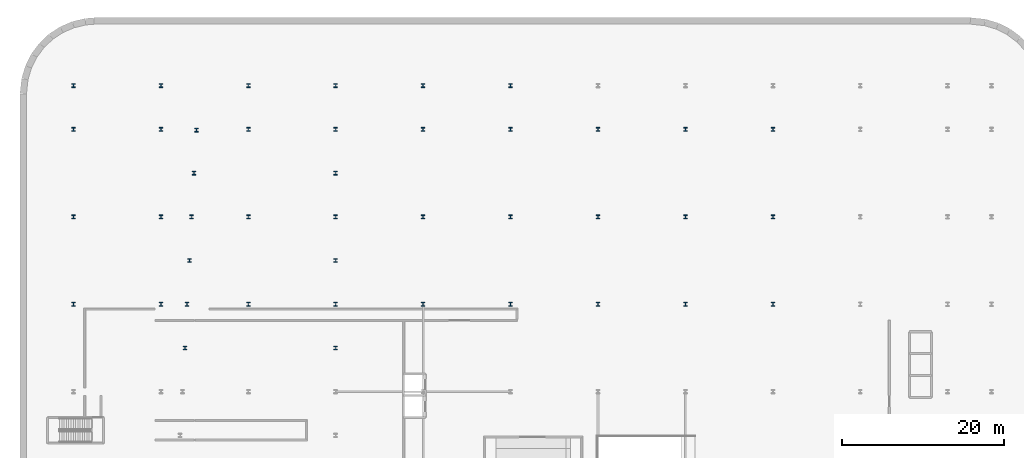
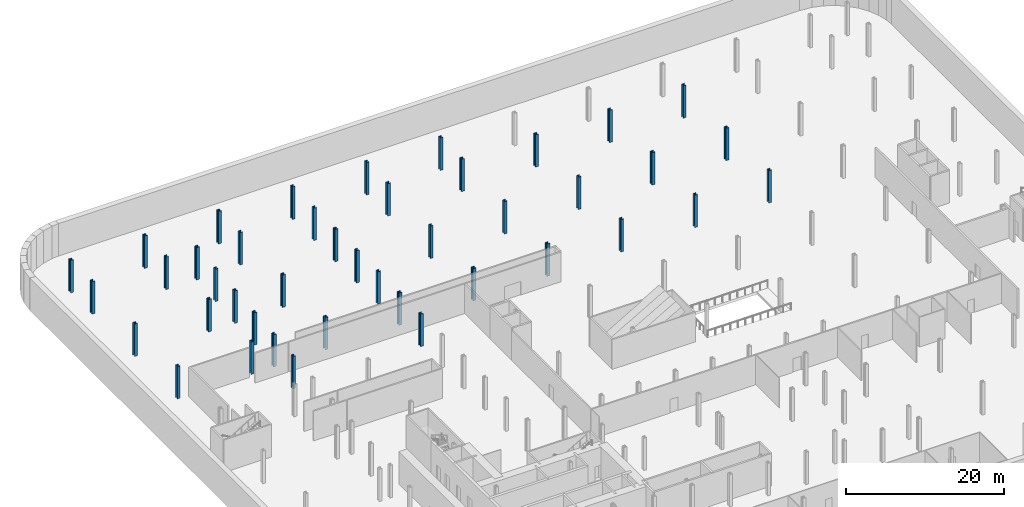
# One storey, part 3 of 19: 42 columns.
"""IFC4 building model written with IfcOpenShell, lengths in metres."""

from ifc_helpers import new_model, si_unit, direction, frame, origin, origin_2d, place, context, subcontext, project, spatial, i_section, extrude, material, material_profile, profile_set, type_object, element, save


model = new_model("IFC4")

# Units and contexts
model_context = context("Model", 3, precision=1e-05, world=origin(), true_north=direction((0.0, 1.0)))
body_context = subcontext(model_context, "Body", "Model", "MODEL_VIEW")
ifc_project = project(units=[si_unit("LENGTHUNIT", "METRE"), si_unit("AREAUNIT", "SQUARE_METRE"), si_unit("VOLUMEUNIT", "CUBIC_METRE"), si_unit("PLANEANGLEUNIT", "RADIAN"), si_unit("MASSUNIT", "GRAM", prefix="KILO")], contexts=[model_context])

# Site, building, storey
site_placement = place(None, origin())
site = spatial("IfcSite", under=ifc_project, at=site_placement, CompositionType="ELEMENT")
building_placement = place(site_placement, origin())
building = spatial("IfcBuilding", under=site, at=building_placement, Name="Kheshtan School and Residences Tower", CompositionType="ELEMENT")
storey_placement = place(building_placement, frame((0.0, 0.0, -5.0)))
storey = spatial("IfcBuildingStorey", under=building, at=storey_placement, Name="B1", CompositionType="ELEMENT", Elevation=-5.0)

# Columns
ifc_material = material(Name="Steel ASTM A992 Grade 50", Category="steel")
ifc_material_profile = material_profile(ifc_material, i_section(OverallWidth=0.424072265625, OverallDepth=0.47412109375, WebThickness=0.047607421875, FlangeThickness=0.0771484375, FilletRadius=0.01416015625, at=origin_2d()), Name="W360x634")
ifc_profile_set = profile_set([ifc_material_profile], Name="Steel ASTM A992 Grade 50")
column_type = type_object("IfcColumnType", Name="Column PC1 W360x634 ASTM A992 Grade 50", PredefinedType="COLUMN", material=ifc_profile_set)
for number, where, z_axis, x_axis, name in (
    (1, (15.199951171875, 78.0, 0.0), (0.0, 0.0, 1.0), (1.0, 0.0, 0.0), "Column P-073"),
    (2, (26.0, 78.0, 0.0), (0.0, 0.0, 1.0), (1.0, 0.0, 0.0), "Column P-074"),
    (3, (36.800048828125, 78.0, 0.0), (0.0, 0.0, 1.0), (1.0, 0.0, 0.0), "Column P-075"),
    (4, (47.60009765625, 78.0, 0.0), (0.0, 0.0, 1.0), (1.0, 0.0, 0.0), "Column P-076"),
    (5, (58.39990234375, 78.0, 0.0), (0.0, 0.0, 1.0), (1.0, 0.0, 0.0), "Column P-077"),
    (6, (69.199951171875, 78.0, 0.0), (0.0, 0.0, 1.0), (1.0, 0.0, 0.0), "Column P-078"),
    (7, (80.0, 78.0, 0.0), (0.0, 0.0, 1.0), (1.0, 0.0, 0.0), "Column P-079"),
    (8, (90.800048828125, 78.0, 0.0), (0.0, 0.0, 1.0), (1.0, 0.0, 0.0), "Column P-080"),
    (9, (101.60009765625, 78.0, 0.0), (0.0, 0.0, 1.0), (1.0, 0.0, 0.0), "Column P-081"),
    (10, (15.199951171875, 88.800048828125, 0.0), (0.0, 0.0, 1.0), (1.0, 0.0, 0.0), "Column P-085"),
    (11, (26.0, 88.800048828125, 0.0), (0.0, 0.0, 1.0), (1.0, 0.0, 0.0), "Column P-086"),
    (12, (36.800048828125, 88.800048828125, 0.0), (0.0, 0.0, 1.0), (1.0, 0.0, 0.0), "Column P-087"),
    (13, (47.60009765625, 88.800048828125, 0.0), (0.0, 0.0, 1.0), (1.0, 0.0, 0.0), "Column P-088"),
    (14, (58.39990234375, 88.800048828125, 0.0), (0.0, 0.0, 1.0), (1.0, 0.0, 0.0), "Column P-089"),
    (15, (69.199951171875, 88.800048828125, 0.0), (0.0, 0.0, 1.0), (1.0, 0.0, 0.0), "Column P-090"),
    (16, (80.0, 88.800048828125, 0.0), (0.0, 0.0, 1.0), (1.0, 0.0, 0.0), "Column P-091"),
    (17, (90.800048828125, 88.800048828125, 0.0), (0.0, 0.0, 1.0), (1.0, 0.0, 0.0), "Column P-092"),
    (18, (101.60009765625, 88.800048828125, 0.0), (0.0, 0.0, 1.0), (1.0, 0.0, 0.0), "Column P-093"),
    (19, (15.199951171875, 99.60009765625, 0.0), (0.0, 0.0, 1.0), (1.0, 0.0, 0.0), "Column P-097"),
    (20, (26.0, 99.60009765625, 0.0), (0.0, 0.0, 1.0), (1.0, 0.0, 0.0), "Column P-098"),
    (21, (36.800048828125, 99.60009765625, 0.0), (0.0, 0.0, 1.0), (1.0, 0.0, 0.0), "Column P-099"),
    (22, (47.60009765625, 99.60009765625, 0.0), (0.0, 0.0, 1.0), (1.0, 0.0, 0.0), "Column P-100"),
    (23, (58.39990234375, 99.60009765625, 0.0), (0.0, 0.0, 1.0), (1.0, 0.0, 0.0), "Column P-101"),
    (24, (69.199951171875, 99.60009765625, 0.0), (0.0, 0.0, 1.0), (1.0, 0.0, 0.0), "Column P-102"),
    (25, (80.0, 99.60009765625, 0.0), (0.0, 0.0, 1.0), (1.0, 0.0, 0.0), "Column P-103"),
    (26, (90.800048828125, 99.60009765625, 0.0), (0.0, 0.0, 1.0), (1.0, 0.0, 0.0), "Column P-104"),
    (27, (101.60009765625, 99.60009765625, 0.0), (0.0, 0.0, 1.0), (1.0, 0.0, 0.0), "Column P-105"),
    (28, (15.199951171875, 105.0, 0.0), (0.0, 0.0, 1.0), (1.0, 0.0, 0.0), "Column P-109"),
    (29, (26.0, 105.0, 0.0), (0.0, 0.0, 1.0), (1.0, 0.0, 0.0), "Column P-110"),
    (30, (36.800048828125, 105.0, 0.0), (0.0, 0.0, 1.0), (1.0, 0.0, 0.0), "Column P-111"),
    (31, (47.60009765625, 105.0, 0.0), (0.0, 0.0, 1.0), (1.0, 0.0, 0.0), "Column P-112"),
    (32, (58.39990234375, 105.0, 0.0), (0.0, 0.0, 1.0), (1.0, 0.0, 0.0), "Column P-113"),
    (33, (69.199951171875, 105.0, 0.0), (0.0, 0.0, 1.0), (1.0, 0.0, 0.0), "Column P-114"),
    (34, (28.9599609375, 72.60009765625, 0.0), (0.0, 0.0, 1.0), (1.0, 0.0, 0.0), "Transfer column X26"),
    (35, (47.60009765625, 72.60009765625, 0.0), (0.0, 0.0, 1.0), (1.0, 0.0, 0.0), "Transfer column X27"),
    (36, (29.239990234375, 78.0, 0.0), (0.0, 0.0, 1.0), (1.0, 0.0, 0.0), "Transfer column X28"),
    (37, (29.530029296875, 83.39990234375, 0.0), (0.0, 0.0, 1.0), (1.0, 0.0, 0.0), "Transfer column X29"),
    (38, (47.60009765625, 83.39990234375, 0.0), (0.0, 0.0, 1.0), (1.0, 0.0, 0.0), "Transfer column X30"),
    (39, (29.81005859375, 88.800048828125, 0.0), (0.0, 0.0, 1.0), (1.0, 0.0, 0.0), "Transfer column X31"),
    (40, (30.090087890625, 94.199951171875, 0.0), (0.0, 0.0, 1.0), (1.0, 0.0, 0.0), "Transfer column X32"),
    (41, (47.60009765625, 94.199951171875, 0.0), (0.0, 0.0, 1.0), (1.0, 0.0, 0.0), "Transfer column X33"),
    (42, (30.419921875, 99.510009765625, 0.0), (0.0, 0.0, 1.0), (1.0, 0.0, 0.0), "Transfer column X34"),
):
    element("IfcColumn", number, at=place(storey_placement, frame(where, z_axis=z_axis, x_axis=x_axis)), inside=storey, type_object=column_type, Name=name, PredefinedType="COLUMN", context=body_context, shape_type="SweptSolid", body=[
        extrude(i_section(OverallWidth=0.424072265625, OverallDepth=0.47412109375, WebThickness=0.047607421875, FlangeThickness=0.0771484375, FilletRadius=0.01416015625, at=origin_2d()), origin(), (0.0, 0.0, 1.0), 5.0),
    ])

save(model, "model.ifc")
